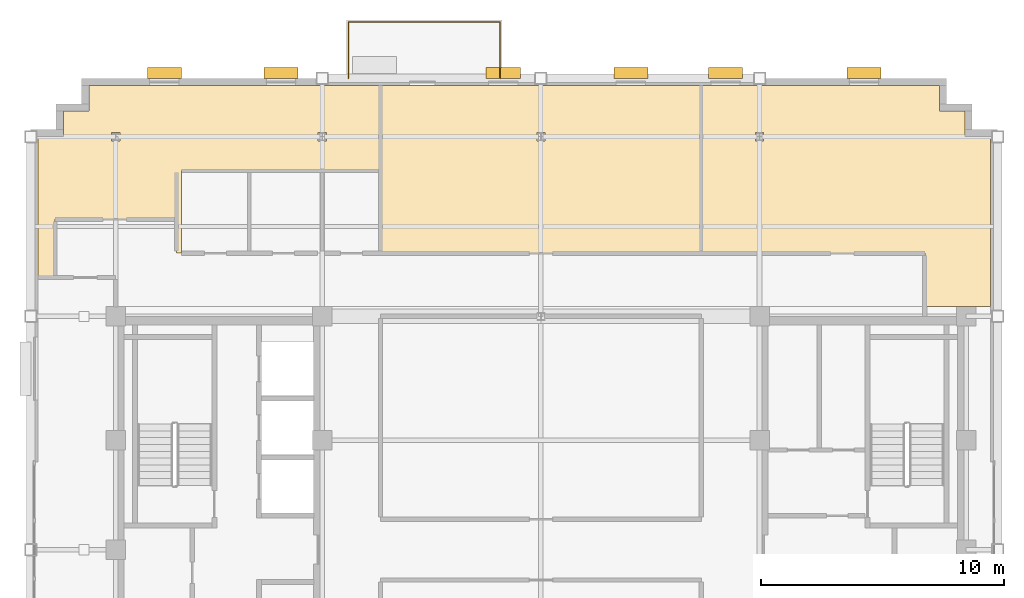
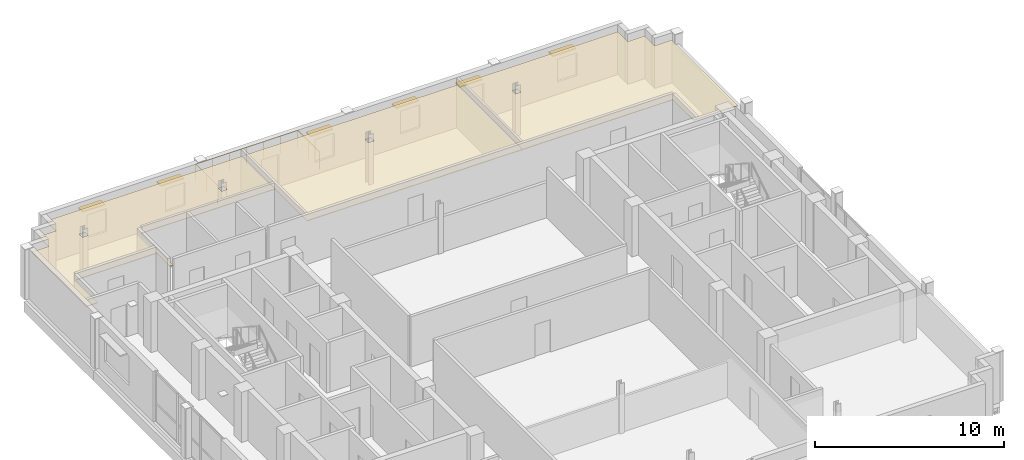
# One storey, part 15 of 15: 6 shading devices, 3 coverings, 1 railing.
"""IFC4 building model written with IfcOpenShell, lengths in metres."""

import ifcopenshell
import ifcopenshell.guid

model = None  # the IFC model being written
_history = None  # IfcOwnerHistory: only IFC2X3 demands one
_inside = {}  # id of a spatial element -> (the spatial element, [elements in it])
_under = {}  # id of a project, library or spatial element -> (it, [spatial elements below it])
_declared = {}  # id of a project -> (the project, [libraries it declares])
_typed = {}  # id of a type object -> (the type object, [elements of that type])
_made_of = {}  # id of a material, layer set ... -> (it, [elements and type objects made of it])


def new_model(schema):
    """Start an empty IFC model of exactly this schema.

    Asked for "IFC4X3", IfcOpenShell would pick the latest addendum, in which some entities
    have other attributes; the version numbers below select the first issue.
    IFC2X3 requires an IfcOwnerHistory on every rooted entity: one is made here for all.
    """
    global model, _history
    if schema == "IFC4X3":
        model = ifcopenshell.file(schema_version=(4, 3, 0, 0))
    else:
        model = ifcopenshell.file(schema=schema)
    _inside.clear()
    _under.clear()
    _declared.clear()
    _typed.clear()
    _made_of.clear()
    _history = None
    if model.schema == "IFC2X3":
        org = make("IfcOrganization", Name="unknown")
        user = make(
            "IfcPersonAndOrganization",
            ThePerson=make("IfcPerson", FamilyName="unknown"),
            TheOrganization=org,
        )
        app = make(
            "IfcApplication",
            ApplicationDeveloper=org,
            Version="unknown",
            ApplicationFullName="unknown",
            ApplicationIdentifier="unknown",
        )
        _history = make(
            "IfcOwnerHistory",
            OwningUser=user,
            OwningApplication=app,
            ChangeAction="ADDED",
            CreationDate=0,
        )
    return model


def make(cls, **values):
    """One entity of the class cls with the attributes given. An attribute that is None is left unset."""
    return model.create_entity(
        cls, **{name: value for name, value in values.items() if value is not None}
    )


def rooted(cls, **values):
    """An entity with a GlobalId (a new one), such as an element, a storey or a relation."""
    return make(cls, GlobalId=ifcopenshell.guid.new(), OwnerHistory=_history, **values)


def si_unit(unit_type, name, prefix=None):
    """IfcSIUnit, for example si_unit("LENGTHUNIT", "METRE", prefix="MILLI")."""
    return make("IfcSIUnit", UnitType=unit_type, Prefix=prefix, Name=name)


def assignment(units):
    """IfcUnitAssignment: the units of a project."""
    return None if units is None else make("IfcUnitAssignment", Units=units)


def point(xyz):
    """IfcCartesianPoint."""
    return None if xyz is None else make("IfcCartesianPoint", Coordinates=xyz)


def direction(xyz):
    """IfcDirection."""
    return None if xyz is None else make("IfcDirection", DirectionRatios=xyz)


def frame(location, z_axis=None, x_axis=None):
    """IfcAxis2Placement3D, a coordinate frame: its origin and axes. An axis left out is left unset."""
    return make(
        "IfcAxis2Placement3D",
        Location=point(location),
        Axis=direction(z_axis),
        RefDirection=direction(x_axis),
    )


def frame_2d(location, x_axis=None):
    """IfcAxis2Placement2D, a coordinate frame in the plane: its origin and x axis."""
    return make(
        "IfcAxis2Placement2D", Location=point(location), RefDirection=direction(x_axis)
    )


def origin():
    """The frame at (0, 0, 0) with its axes left unset."""
    return frame((0.0, 0.0, 0.0))


def origin_2d():
    """The frame at (0, 0) in the plane with its x axis left unset."""
    return frame_2d((0.0, 0.0))


def place(relative_to, where):
    """IfcLocalPlacement: puts the frame where relative to a parent placement (None: the world)."""
    return make(
        "IfcLocalPlacement", PlacementRelTo=relative_to, RelativePlacement=where
    )


def context(
    kind, dimensions, precision=None, world=None, true_north=None, identifier=None
):
    """IfcGeometricRepresentationContext, for example the 3D "Model" context."""
    return make(
        "IfcGeometricRepresentationContext",
        ContextIdentifier=identifier,
        ContextType=kind,
        CoordinateSpaceDimension=dimensions,
        Precision=precision,
        WorldCoordinateSystem=world,
        TrueNorth=true_north,
    )


def subcontext(parent, identifier, kind, view, scale=None):
    """IfcGeometricRepresentationSubContext, for example "Body" below "Model"."""
    return make(
        "IfcGeometricRepresentationSubContext",
        ContextIdentifier=identifier,
        ContextType=kind,
        ParentContext=parent,
        TargetScale=scale,
        TargetView=view,
    )


def project(units=None, contexts=None):
    """IfcProject with its units and contexts."""
    return rooted(
        "IfcProject",
        Name="project",
        RepresentationContexts=contexts,
        UnitsInContext=assignment(units),
    )


def spatial(cls, under=None, at=None, **own):
    """A site, building, storey or space (cls), placed at a placement, below another one or the project."""
    s = rooted(cls, ObjectPlacement=at, **own)
    if under is not None:
        _under.setdefault(under.id(), (under, []))[1].append(s)
    return s


def polyline(points):
    """IfcPolyline through the points."""
    return make("IfcPolyline", Points=[point(p) for p in points])


def profile(cls, at=None, kind="AREA", **sizes):
    """A parametric profile (cls). Its sizes go by their IFC names, for example OverallWidth=200.0."""
    return make(cls, ProfileType=kind, Position=at, **sizes)


def rectangle(**sizes):
    """IfcRectangleProfileDef."""
    return profile("IfcRectangleProfileDef", **sizes)


def circle(**sizes):
    """IfcCircleProfileDef."""
    return profile("IfcCircleProfileDef", **sizes)


def outline(outer, holes=None, kind="AREA"):
    """IfcArbitraryClosedProfileDef: a profile drawn as a closed curve; with holes, ...WithVoids."""
    if holes is None:
        return make("IfcArbitraryClosedProfileDef", ProfileType=kind, OuterCurve=outer)
    return make(
        "IfcArbitraryProfileDefWithVoids",
        ProfileType=kind,
        OuterCurve=outer,
        InnerCurves=holes,
    )


def extrude(swept, where, along, depth):
    """IfcExtrudedAreaSolid: the profile swept, set in the frame where, extruded along a direction by depth."""
    return make(
        "IfcExtrudedAreaSolid",
        SweptArea=swept,
        Position=where,
        ExtrudedDirection=direction(along),
        Depth=depth,
    )


def shape(context_of_items, identifier, shape_type, items):
    """IfcShapeRepresentation: the items that make up one representation, for example the "Body"."""
    return make(
        "IfcShapeRepresentation",
        ContextOfItems=context_of_items,
        RepresentationIdentifier=identifier,
        RepresentationType=shape_type,
        Items=items,
    )


def source(mapping_origin, context_of_items, identifier, shape_type, items):
    """IfcRepresentationMap: a shape defined once, which mapped items show again and again."""
    return make(
        "IfcRepresentationMap",
        MappingOrigin=mapping_origin,
        MappedRepresentation=shape(context_of_items, identifier, shape_type, items),
    )


def transform(
    local_origin,
    x_axis=None,
    y_axis=None,
    z_axis=None,
    scale=None,
    scale2=None,
    scale3=None,
    uniform=True,
):
    """IfcCartesianTransformationOperator3D, or its non-uniform kind. x_axis, y_axis, z_axis: its Axis1, 2, 3."""
    if uniform:
        return make(
            "IfcCartesianTransformationOperator3D",
            Axis1=direction(x_axis),
            Axis2=direction(y_axis),
            LocalOrigin=point(local_origin),
            Scale=scale,
            Axis3=direction(z_axis),
        )
    return make(
        "IfcCartesianTransformationOperator3DnonUniform",
        Axis1=direction(x_axis),
        Axis2=direction(y_axis),
        LocalOrigin=point(local_origin),
        Scale=scale,
        Axis3=direction(z_axis),
        Scale2=scale2,
        Scale3=scale3,
    )


def mapped(mapping_source, mapping_target):
    """IfcMappedItem: shows the shape of a source again, moved by a transform."""
    return make(
        "IfcMappedItem", MappingSource=mapping_source, MappingTarget=mapping_target
    )


def material(Name=None, Category=None):
    """IfcMaterial."""
    return make("IfcMaterial", Name=Name, Category=Category)


def layer(
    of_material, thickness, ventilated=None, Name=None, Category=None, Priority=None
):
    """IfcMaterialLayer: one layer of a wall or slab, of a material (None: an air gap)."""
    return make(
        "IfcMaterialLayer",
        Material=of_material,
        LayerThickness=thickness,
        IsVentilated=ventilated,
        Name=Name,
        Category=Category,
        Priority=Priority,
    )


def layer_set(layers, Name=None):
    """IfcMaterialLayerSet."""
    return make("IfcMaterialLayerSet", MaterialLayers=layers, LayerSetName=Name)


def made_of(thing, what):
    """Note that an element or type object is made of a material, layer set ...; save() writes the relation."""
    if what is not None:
        _made_of.setdefault(what.id(), (what, []))[1].append(thing)
    return thing


def type_object(cls, material=None, **own):
    """A type object (cls), such as IfcWallType, which elements share."""
    return made_of(rooted(cls, **own), material)


def type_shapes(of_type, sources):
    """Give a type object the sources (RepresentationMaps) that its elements show as mapped items."""
    of_type.RepresentationMaps = sources


def element(
    cls,
    number,
    at=None,
    inside=None,
    cuts=None,
    type_object=None,
    material=None,
    context=None,
    identifier="Body",
    shape_type=None,
    held_by="IfcProductDefinitionShape",
    body=None,
    shapes=None,
    **own,
):
    """One element of the class cls, such as IfcWall. Its Tag is "e" and its number.

    at: its placement. inside: the storey or other place that contains it. cuts: it is an
    opening in that element (IfcRelVoidsElement). A single representation is given by context,
    identifier, shape_type and body (its items); several are given by shapes. held_by: the class
    of the entity that holds the representations. save() writes the other relations.
    """
    e = rooted(cls, Tag="e%d" % number, ObjectPlacement=at, **own)
    if body is not None:
        shapes = [shape(context, identifier, shape_type, body)]
    if shapes is not None:
        e.Representation = make(held_by, Representations=shapes)
    if inside is not None:
        _inside.setdefault(inside.id(), (inside, []))[1].append(e)
    if cuts is not None:
        rooted(
            "IfcRelVoidsElement", RelatingBuildingElement=cuts, RelatedOpeningElement=e
        )
    if type_object is not None:
        _typed.setdefault(type_object.id(), (type_object, []))[1].append(e)
    return made_of(e, material)


def aggregate(whole, parts):
    """IfcRelAggregates: a whole, such as a stair, and the parts it consists of."""
    return rooted("IfcRelAggregates", RelatingObject=whole, RelatedObjects=parts)


def save(model, path):
    """Write the relations noted so far, then the file.

    IfcRelAggregates (storeys below a building ...), IfcRelContainedInSpatialStructure (elements
    in a storey), IfcRelDefinesByType, IfcRelAssociatesMaterial and IfcRelDeclares: one each for
    every whole, place, type object, material and project.
    """
    for whole, parts in _under.values():
        aggregate(whole, parts)
    for where, things in _inside.values():
        rooted(
            "IfcRelContainedInSpatialStructure",
            RelatedElements=things,
            RelatingStructure=where,
        )
    for kind, things in _typed.values():
        rooted("IfcRelDefinesByType", RelatedObjects=things, RelatingType=kind)
    for what, things in _made_of.values():
        rooted("IfcRelAssociatesMaterial", RelatedObjects=things, RelatingMaterial=what)
    for by, libraries in _declared.values():
        rooted("IfcRelDeclares", RelatingContext=by, RelatedDefinitions=libraries)
    model.write(path)


model = new_model("IFC4")

# Units and contexts
model_context = context("Model", 3, precision=1e-05, world=origin(), true_north=direction((0.0, 1.0)))
body_context = subcontext(model_context, "Body", "Model", "MODEL_VIEW")
ifc_project = project(units=[si_unit("LENGTHUNIT", "METRE"), si_unit("AREAUNIT", "SQUARE_METRE"), si_unit("VOLUMEUNIT", "CUBIC_METRE"), si_unit("PLANEANGLEUNIT", "RADIAN"), si_unit("MASSUNIT", "GRAM", prefix="KILO")], contexts=[model_context])

# Site, building, storey
site_placement = place(None, origin())
site = spatial("IfcSite", under=ifc_project, at=site_placement, CompositionType="ELEMENT")
building_placement = place(site_placement, origin())
building = spatial("IfcBuilding", under=site, at=building_placement, Name="Nuvemarco Arch Tower", CompositionType="ELEMENT")
storey_placement = place(building_placement, frame((0.0, 0.0, 283.5)))
storey = spatial("IfcBuildingStorey", under=building, at=storey_placement, Name="L75", CompositionType="ELEMENT", Elevation=283.5)

# Coverings
ifc_material_1 = material(Name="Mineral acoustic ceiling tile")
ifc_layer = layer(ifc_material_1, 0.0400390625, Name="COV-ACOUSTIC-CLG")
ifc_layer_set = layer_set([ifc_layer], Name="Mineral acoustic ceiling tile")
covering_type = type_object("IfcCoveringType", Name="COV-ACOUSTIC-CLG", PredefinedType="CEILING", material=ifc_layer_set)
covering_1_placement = place(storey_placement, frame((0.0, 0.0, 2.72998046875)))
element("IfcCovering", 1, at=covering_1_placement, inside=storey, type_object=covering_type, Name="L75 suspended acoustic ceiling 3", PredefinedType="CEILING", context=body_context, shape_type="SweptSolid", body=[
    extrude(outline(polyline([(6.60009765625, 12.199951171875), (-6.60009765625, 12.199951171875), (-6.60009765625, 15.60009765625), (-6.60009765625, 19.10009765625), (6.60009765625, 19.10009765625), (6.60009765625, 12.199951171875)]), holes=[polyline([(0.169921875, 16.830078125), (0.169921875, 17.169921875), (-0.169921875, 17.169921875), (-0.169921875, 16.830078125), (0.169921875, 16.830078125)])]), origin(), (0.0, 0.0, 1.0), 0.0400390625),
])
covering_2_placement = place(storey_placement, frame((0.0, 0.0, 2.72998046875)))
element("IfcCovering", 2, at=covering_2_placement, inside=storey, type_object=covering_type, Name="L75 suspended acoustic ceiling 4", PredefinedType="CEILING", context=body_context, shape_type="SweptSolid", body=[
    extrude(outline(polyline([(18.5, 17.0), (18.5, 10.0), (17.9150390625, 10.0), (17.9150390625, 10.014892578125), (17.0849609375, 10.014892578125), (17.0849609375, 10.0), (15.800048828125, 10.0), (15.800048828125, 12.199951171875), (9.0, 12.199951171875), (6.60009765625, 12.199951171875), (6.60009765625, 19.10009765625), (16.39990234375, 19.10009765625), (16.39990234375, 18.050048828125), (17.449951171875, 18.050048828125), (17.449951171875, 17.0), (18.5, 17.0)]), holes=[polyline([(9.169921875, 17.169921875), (8.830078125, 17.169921875), (8.830078125, 16.830078125), (9.169921875, 16.830078125), (9.169921875, 17.169921875)])]), origin(), (0.0, 0.0, 1.0), 0.0400390625),
])
covering_3_placement = place(storey_placement, frame((0.0, 0.0, 2.72998046875)))
element("IfcCovering", 3, at=covering_3_placement, inside=storey, type_object=covering_type, Name="L75 suspended acoustic ceiling 6", PredefinedType="CEILING", context=body_context, shape_type="SweptSolid", body=[
    extrude(outline(polyline([(-15.0, 12.199951171875), (-15.0, 13.60009765625), (-20.0, 13.60009765625), (-20.0, 11.199951171875), (-20.699951171875, 11.199951171875), (-20.699951171875, 17.0), (-19.64990234375, 17.0), (-19.64990234375, 18.050048828125), (-18.60009765625, 18.050048828125), (-18.60009765625, 19.10009765625), (-6.60009765625, 19.10009765625), (-6.60009765625, 15.60009765625), (-9.199951171875, 15.60009765625), (-12.0, 15.60009765625), (-14.800048828125, 15.60009765625), (-14.800048828125, 12.199951171875), (-15.0, 12.199951171875)]), holes=[polyline([(-17.330078125, 17.169921875), (-17.669921875, 17.169921875), (-17.669921875, 16.830078125), (-17.330078125, 16.830078125), (-17.330078125, 17.169921875)]), polyline([(-8.830078125, 17.169921875), (-9.169921875, 17.169921875), (-9.169921875, 16.830078125), (-8.830078125, 16.830078125), (-8.830078125, 17.169921875)])]), origin(), (0.0, 0.0, 1.0), 0.0400390625),
])

# Railing
ifc_material_2 = material(Name="Dark anodised balustrade steel S355", Category="steel")
railing_type = type_object("IfcRailingType", Name="RL-TERR-GUARD", PredefinedType="BALUSTRADE", material=ifc_material_2)
railing_placement = place(storey_placement, frame((-7.919921875, 19.39990234375, 0.0)))
element("IfcRailing", 4, at=railing_placement, inside=storey, type_object=railing_type, Name="L75 spiral terrace perimeter balustrade guard", PredefinedType="BALUSTRADE", context=body_context, shape_type="SweptSolid", body=[
    extrude(circle(Radius=0.02392578125, at=origin_2d()), frame((0.0, 0.0, 1.1259765625), z_axis=(0.0, 1.0, 0.0), x_axis=(-1.0, 0.0, 0.0)), (0.0, 0.0, 1.0), 2.320068359375),
    extrude(circle(Radius=0.02392578125, at=origin_2d()), frame((0.0, 2.320068359375, 1.1259765625), z_axis=(1.0, 0.0, 0.0), x_axis=(0.0, 1.0, 0.0)), (0.0, 0.0, 1.0), 6.239990234375),
    extrude(circle(Radius=0.02392578125, at=origin_2d()), frame((6.239990234375, 2.320068359375, 1.1259765625), z_axis=(0.0, -1.0, 0.0), x_axis=(1.0, 0.0, 0.0)), (0.0, 0.0, 1.0), 2.320068359375),
    extrude(circle(Radius=0.02099609375, at=origin_2d()), origin(), (0.0, 0.0, 1.0), 1.101806640625),
    extrude(circle(Radius=0.02099609375, at=origin_2d()), frame((0.0, 1.16015625, 0.0)), (0.0, 0.0, 1.0), 1.101806640625),
    extrude(circle(Radius=0.02099609375, at=origin_2d()), frame((0.0, 2.320068359375, 0.0)), (0.0, 0.0, 1.0), 1.101806640625),
    extrude(circle(Radius=0.02099609375, at=origin_2d()), frame((1.0400390625, 2.320068359375, 0.0)), (0.0, 0.0, 1.0), 1.101806640625),
    extrude(circle(Radius=0.02099609375, at=origin_2d()), frame((2.080078125, 2.320068359375, 0.0)), (0.0, 0.0, 1.0), 1.101806640625),
    extrude(circle(Radius=0.02099609375, at=origin_2d()), frame((3.1201171875, 2.320068359375, 0.0)), (0.0, 0.0, 1.0), 1.101806640625),
    extrude(circle(Radius=0.02099609375, at=origin_2d()), frame((4.159912109375, 2.320068359375, 0.0)), (0.0, 0.0, 1.0), 1.101806640625),
    extrude(circle(Radius=0.02099609375, at=origin_2d()), frame((5.199951171875, 2.320068359375, 0.0)), (0.0, 0.0, 1.0), 1.101806640625),
    extrude(circle(Radius=0.02099609375, at=origin_2d()), frame((6.239990234375, 2.320068359375, 0.0)), (0.0, 0.0, 1.0), 1.101806640625),
    extrude(circle(Radius=0.02099609375, at=origin_2d()), frame((6.239990234375, 1.16015625, 0.0)), (0.0, 0.0, 1.0), 1.101806640625),
    extrude(circle(Radius=0.02099609375, at=origin_2d()), frame((6.239990234375, 0.0, 0.0)), (0.0, 0.0, 1.0), 1.101806640625),
])

# Shading devices
ifc_material_3 = material(Name="Anodised aluminium 6063-T6", Category="aluminium")
shading_device_type = type_object("IfcShadingDeviceType", Name="SHD-BRISE-NARROW", PredefinedType="USERDEFINED", material=ifc_material_3)
shared_shape = source(origin(), body_context, "Body", "SweptSolid", [
    extrude(rectangle(XDim=1.39990234375, YDim=0.449951171875, at=origin_2d()), origin(), (0.0, 0.0, 1.0), 0.080078125),
])
type_shapes(shading_device_type, [shared_shape])
for number, where, z_axis, x_axis, name in (
    (5, (-15.5, 19.614990234375, 2.284912109375), (0.0, 0.0, 1.0), (1.0, 0.0, 0.0), "L75 horizontal brise-soleil sunshade"),
    (6, (-10.699951171875, 19.614990234375, 2.284912109375), (0.0, 0.0, 1.0), (1.0, 0.0, 0.0), "L75 horizontal brise-soleil sunshade"),
    (7, (-1.550048828125, 19.614990234375, 2.284912109375), (0.0, 0.0, 1.0), (1.0, 0.0, 0.0), "L75 horizontal brise-soleil sunshade"),
    (8, (3.699951171875, 19.614990234375, 2.284912109375), (0.0, 0.0, 1.0), (1.0, 0.0, 0.0), "L75 horizontal brise-soleil sunshade"),
    (9, (7.60009765625, 19.614990234375, 2.284912109375), (0.0, 0.0, 1.0), (1.0, 0.0, 0.0), "L75 horizontal brise-soleil sunshade"),
    (10, (13.300048828125, 19.614990234375, 2.284912109375), (0.0, 0.0, 1.0), (1.0, 0.0, 0.0), "L75 horizontal brise-soleil sunshade"),
):
    element("IfcShadingDevice", number, at=place(storey_placement, frame(where, z_axis=z_axis, x_axis=x_axis)), inside=storey, type_object=shading_device_type, Name=name, ObjectType="SUNSHADE", PredefinedType="USERDEFINED", context=body_context, shape_type="MappedRepresentation", body=[
        mapped(shared_shape, transform((0.0, 0.0, 0.0), scale=1.0)),
    ])

save(model, "model.ifc")
